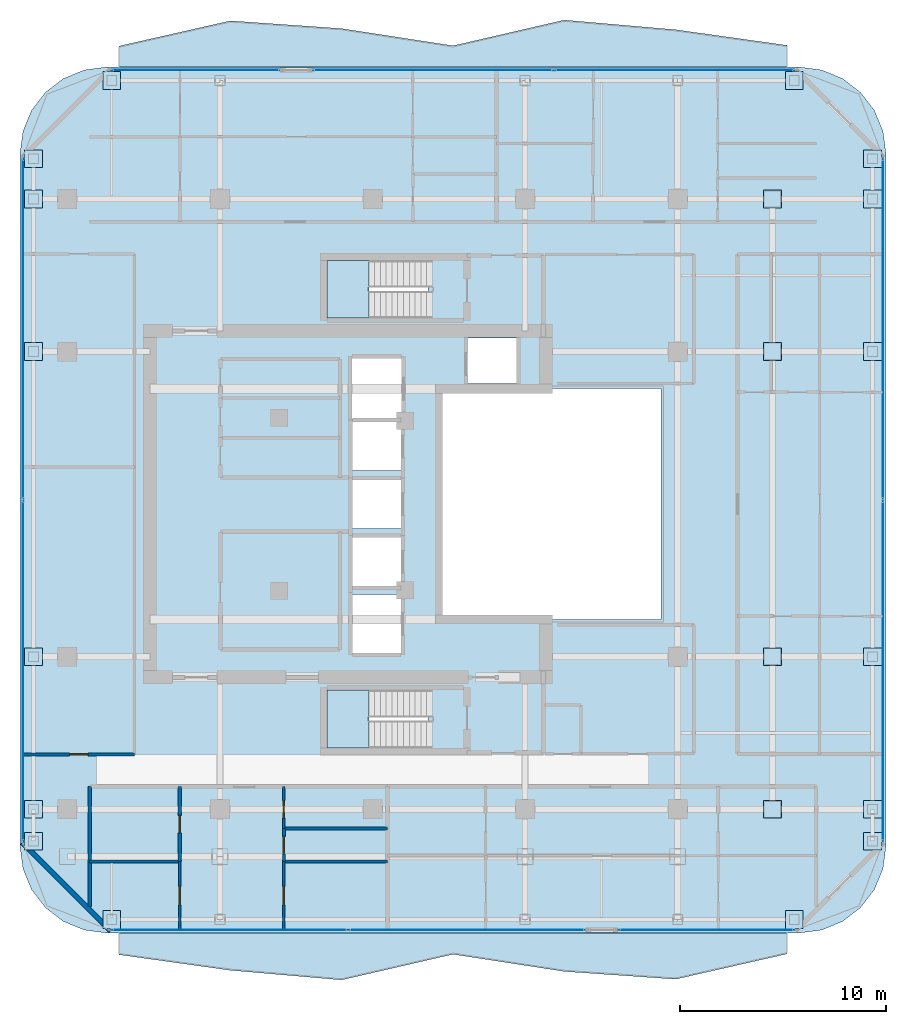
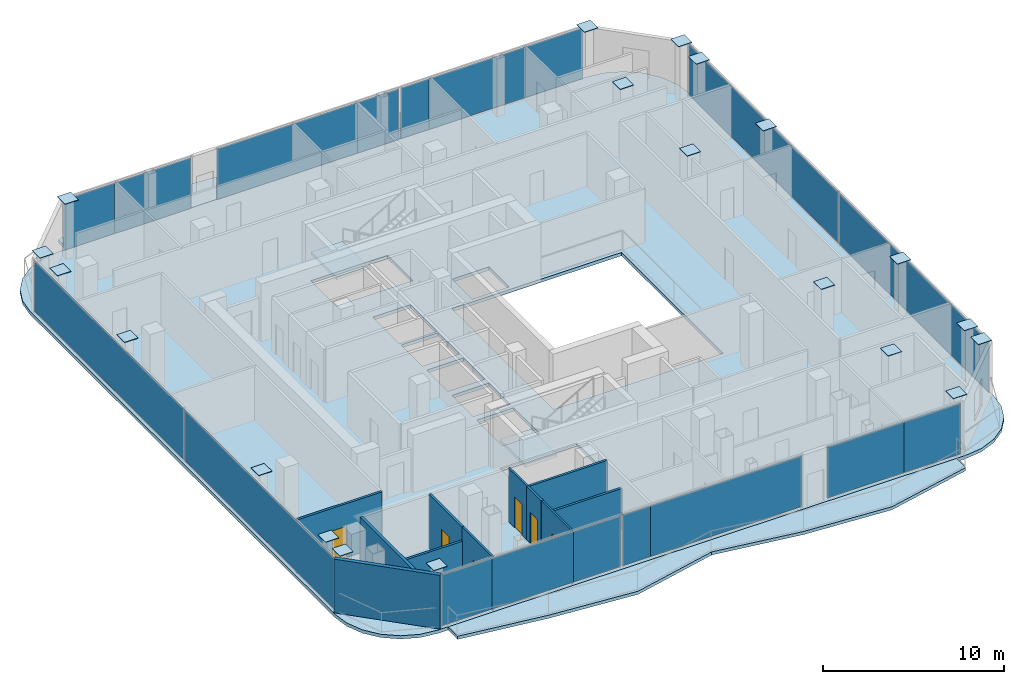
# One storey, part 15 of 22: 38 plates, 11 walls, 6 doors, 5 slabs, 6 openings, 8 elements without a shape of their own.
"""IFC4 building model written with IfcOpenShell, lengths in metres."""

from ifc_helpers import new_model, si_unit, direction, frame, frame_2d, origin, origin_2d, place, context, subcontext, project, spatial, polyline, rectangle, outline, extrude, material, layer, layer_set, type_object, element, fill, aggregate, save


model = new_model("IFC4")

# Units and contexts
model_context = context("Model", 3, precision=1e-05, world=origin(), true_north=direction((0.0, 1.0)))
body_context = subcontext(model_context, "Body", "Model", "MODEL_VIEW")
ifc_project = project(units=[si_unit("LENGTHUNIT", "METRE"), si_unit("AREAUNIT", "SQUARE_METRE"), si_unit("VOLUMEUNIT", "CUBIC_METRE"), si_unit("PLANEANGLEUNIT", "RADIAN"), si_unit("MASSUNIT", "GRAM", prefix="KILO")], contexts=[model_context])

# Site, building, storey
site_placement = place(None, origin())
site = spatial("IfcSite", under=ifc_project, at=site_placement, CompositionType="ELEMENT")
building_placement = place(site_placement, origin())
building = spatial("IfcBuilding", under=site, at=building_placement, Name="Khorvyn Point Tower", CompositionType="ELEMENT")
storey_placement = place(building_placement, frame((0.0, 0.0, 282.0)))
storey = spatial("IfcBuildingStorey", under=building, at=storey_placement, Name="L69", CompositionType="ELEMENT", Elevation=282.0)

# Slabs
ifc_material_1 = material(Name="Concrete C35/45", Category="concrete")
ifc_layer_1 = layer(ifc_material_1, 0.219970703125)
ifc_layer_set_1 = layer_set([ifc_layer_1], Name="Concrete C35/45 Structural Floor Slab 220")
slab_type_1 = type_object("IfcSlabType", Name="Concrete C35/45 Structural Floor Slab 220", PredefinedType="FLOOR", material=ifc_layer_set_1)
slab_1_placement = place(storey_placement, frame((0.0, 0.0, -0.219970703125)))
element("IfcSlab", 1, at=slab_1_placement, inside=storey, type_object=slab_type_1, Name="L69 Main Structural Floor Slab", PredefinedType="FLOOR", context=body_context, shape_type="SweptSolid", body=[
    extrude(outline(polyline([(-12.89990234375, -20.800048828125), (-13.987060546875, -20.656982421875), (-15.0, -20.2373046875), (-15.869873046875, -19.56982421875), (-16.537353515625, -18.699951171875), (-16.956787109375, -17.68701171875), (-17.10009765625, -16.60009765625), (-17.10009765625, 17.0), (-16.956787109375, 18.0869140625), (-16.537353515625, 19.10009765625), (-15.869873046875, 19.9697265625), (-15.0, 20.63720703125), (-13.987060546875, 21.056884765625), (-12.89990234375, 21.199951171875), (20.699951171875, 21.199951171875), (21.787109375, 21.056884765625), (22.800048828125, 20.63720703125), (23.669921875, 19.9697265625), (24.33740234375, 19.10009765625), (24.7568359375, 18.0869140625), (24.89990234375, 17.0), (24.89990234375, -16.60009765625), (24.7568359375, -17.68701171875), (24.33740234375, -18.699951171875), (23.669921875, -19.56982421875), (22.800048828125, -20.2373046875), (21.787109375, -20.656982421875), (20.699951171875, -20.800048828125), (-12.89990234375, -20.800048828125)]), holes=[polyline([(2.679931640625, -11.820068359375), (2.679931640625, -9.02001953125), (-2.199951171875, -9.02001953125), (-2.199951171875, -11.820068359375), (2.679931640625, -11.820068359375)]), polyline([(1.375, -7.22509765625), (1.375, -4.375), (-0.97509765625, -4.375), (-0.97509765625, -7.22509765625), (1.375, -7.22509765625)]), polyline([(1.375, -3.97509765625), (1.375, -1.625), (-0.97509765625, -1.625), (-0.97509765625, -3.97509765625), (1.375, -3.97509765625)]), polyline([(1.375, -1.175048828125), (1.375, 1.175048828125), (-0.97509765625, 1.175048828125), (-0.97509765625, -1.175048828125), (1.375, -1.175048828125)]), polyline([(14.0, -5.60009765625), (14.0, 5.60009765625), (3.199951171875, 5.60009765625), (3.199951171875, -5.60009765625), (14.0, -5.60009765625)]), polyline([(1.375, 1.625), (1.375, 3.97509765625), (-0.97509765625, 3.97509765625), (-0.97509765625, 1.625), (1.375, 1.625)]), polyline([(1.39990234375, 4.125), (1.39990234375, 7.074951171875), (-1.0, 7.074951171875), (-1.0, 4.125), (1.39990234375, 4.125)]), polyline([(4.625, 5.85009765625), (6.97509765625, 5.85009765625), (6.97509765625, 8.054931640625), (4.625, 8.054931640625), (4.625, 5.85009765625)]), polyline([(-2.199951171875, 9.02001953125), (2.679931640625, 9.02001953125), (2.679931640625, 11.820068359375), (-2.199951171875, 11.820068359375), (-2.199951171875, 9.02001953125)])]), origin(), (0.0, 0.0, 1.0), 0.219970703125),
])
ifc_material_2 = material(Name="Concrete C40/50", Category="concrete")
ifc_layer_2 = layer(ifc_material_2, 0.2099609375)
ifc_layer_set_2 = layer_set([ifc_layer_2], Name="Concrete C40/50 Rippling Balcony Slab 210")
slab_type_2 = type_object("IfcSlabType", Name="Concrete C40/50 Rippling Balcony Slab 210", PredefinedType="USERDEFINED", material=ifc_layer_set_2)
slab_2_placement = place(storey_placement, frame((0.0, 0.0, -0.2099609375)))
element("IfcSlab", 2, at=slab_2_placement, inside=storey, type_object=slab_type_2, Name="L69 North Sinusoidal Rippling Balcony", ObjectType="BALCONY", PredefinedType="USERDEFINED", context=body_context, shape_type="SweptSolid", body=[
    extrude(outline(polyline([(20.10009765625, 21.199951171875), (20.10009765625, 22.255126953125), (14.699951171875, 23.01220703125), (9.300048828125, 23.48095703125), (3.89990234375, 22.234130859375), (-1.5, 23.068115234375), (-6.89990234375, 23.443359375), (-12.300048828125, 22.21728515625), (-12.300048828125, 21.199951171875), (20.10009765625, 21.199951171875)])), origin(), (0.0, 0.0, 1.0), 0.2099609375),
])
slab_3_placement = place(storey_placement, frame((0.0, 0.0, -0.2099609375)))
element("IfcSlab", 3, at=slab_3_placement, inside=storey, type_object=slab_type_2, Name="L69 South Sinusoidal Rippling Balcony", ObjectType="BALCONY", PredefinedType="USERDEFINED", context=body_context, shape_type="SweptSolid", body=[
    extrude(outline(polyline([(-12.300048828125, -20.800048828125), (-12.300048828125, -21.855224609375), (-6.89990234375, -22.612060546875), (-1.5, -23.080810546875), (3.89990234375, -21.833984375), (9.300048828125, -22.668212890625), (14.699951171875, -23.04345703125), (20.10009765625, -21.817138671875), (20.10009765625, -20.800048828125), (-12.300048828125, -20.800048828125)])), origin(), (0.0, 0.0, 1.0), 0.2099609375),
])

# Stair, slab
stair_type = type_object("IfcStairType", Name="Tower Concrete C40/50 Dogleg Exit Stair", PredefinedType="HALF_TURN_STAIR", material=ifc_material_2)
stair_1_placement = place(storey_placement, origin())
stair_1 = element("IfcStair", 4, at=stair_1_placement, inside=storey, type_object=stair_type, Name="L69 Tower Smokeproof Exit Stair South", PredefinedType="HALF_TURN_STAIR")
ifc_layer_3 = layer(ifc_material_2, 0.199951171875)
ifc_layer_set_3 = layer_set([ifc_layer_3], Name="Concrete C40/50 Stair Landing Slab 200")
slab_type_3 = type_object("IfcSlabType", Name="Concrete C40/50 Stair Landing Slab 200", PredefinedType="LANDING", material=ifc_layer_set_3)
slab_4_placement = place(storey_placement, frame((0.0, 0.0, 1.75)))
slab_4 = element("IfcSlab", 5, at=slab_4_placement, type_object=slab_type_3, Name="ST-01 landing 1", PredefinedType="LANDING", context=body_context, shape_type="SweptSolid", body=[
    extrude(outline(polyline([(-0.179931640625, -9.02001953125), (-2.199951171875, -9.02001953125), (-2.199951171875, -11.820068359375), (-0.179931640625, -11.820068359375), (-0.179931640625, -9.02001953125)])), origin(), (0.0, 0.0, 1.0), 0.199951171875),
])
aggregate(stair_1, [slab_4])

stair_2_placement = place(storey_placement, origin())
stair_2 = element("IfcStair", 6, at=stair_2_placement, inside=storey, type_object=stair_type, Name="L69 Tower Smokeproof Exit Stair North", PredefinedType="HALF_TURN_STAIR")
slab_5_placement = place(storey_placement, frame((0.0, 0.0, 1.75)))
slab_5 = element("IfcSlab", 7, at=slab_5_placement, type_object=slab_type_3, Name="ST-02 landing 1", PredefinedType="LANDING", context=body_context, shape_type="SweptSolid", body=[
    extrude(outline(polyline([(-0.179931640625, 11.820068359375), (-2.199951171875, 11.820068359375), (-2.199951171875, 9.02001953125), (-0.179931640625, 9.02001953125), (-0.179931640625, 11.820068359375)])), origin(), (0.0, 0.0, 1.0), 0.199951171875),
])
aggregate(stair_2, [slab_5])

# Plates
ifc_material_3 = material(Name="Steel S450", Category="steel")
ifc_layer_4 = layer(ifc_material_3, 0.031982421875)
ifc_layer_set_4 = layer_set([ifc_layer_4], Name="Steel S450 Exoskeleton End Cap Plate 32")
plate_type_1 = type_object("IfcPlateType", Name="Steel S450 Exoskeleton End Cap Plate 32", PredefinedType="USERDEFINED", material=ifc_layer_set_4)
for number, where, z_axis, x_axis, name in (
    (8, (19.39990234375, -14.800048828125, 3.89404296875), (0.0, 0.0, 1.0), (1.0, 0.0, 0.0), "Plate"),
    (9, (19.39990234375, -7.39990234375, 3.89404296875), (0.0, 0.0, 1.0), (1.0, 0.0, 0.0), "Plate"),
    (10, (19.39990234375, 7.39990234375, 3.89404296875), (0.0, 0.0, 1.0), (1.0, 0.0, 0.0), "Plate"),
    (11, (19.39990234375, 14.800048828125, 3.89404296875), (0.0, 0.0, 1.0), (1.0, 0.0, 0.0), "Plate"),
    (12, (-12.64990234375, -20.14990234375, 3.89404296875), (0.0, 0.0, 1.0), (1.0, 0.0, 0.0), "Plate"),
    (13, (20.449951171875, -20.14990234375, 3.89404296875), (0.0, 0.0, 1.0), (1.0, 0.0, 0.0), "Plate"),
    (14, (-12.64990234375, 20.550048828125, 3.89404296875), (0.0, 0.0, 1.0), (1.0, 0.0, 0.0), "Plate"),
    (15, (20.449951171875, 20.550048828125, 3.89404296875), (0.0, 0.0, 1.0), (1.0, 0.0, 0.0), "Plate"),
    (16, (-16.449951171875, -16.35009765625, 3.89404296875), (0.0, 0.0, 1.0), (1.0, 0.0, 0.0), "Plate"),
    (17, (-16.449951171875, 16.75, 3.89404296875), (0.0, 0.0, 1.0), (1.0, 0.0, 0.0), "Plate"),
    (18, (24.25, -16.35009765625, 3.89404296875), (0.0, 0.0, 1.0), (1.0, 0.0, 0.0), "Plate"),
    (19, (24.25, 16.75, 3.89404296875), (0.0, 0.0, 1.0), (1.0, 0.0, 0.0), "Plate"),
    (20, (-16.449951171875, -14.800048828125, 3.89404296875), (0.0, 0.0, 1.0), (1.0, 0.0, 0.0), "Plate"),
    (21, (24.25, -14.800048828125, 3.89404296875), (0.0, 0.0, 1.0), (1.0, 0.0, 0.0), "Plate"),
    (22, (-16.449951171875, -7.39990234375, 3.89404296875), (0.0, 0.0, 1.0), (1.0, 0.0, 0.0), "Plate"),
    (23, (24.25, -7.39990234375, 3.89404296875), (0.0, 0.0, 1.0), (1.0, 0.0, 0.0), "Plate"),
    (24, (-16.449951171875, 7.39990234375, 3.89404296875), (0.0, 0.0, 1.0), (1.0, 0.0, 0.0), "Plate"),
    (25, (24.25, 7.39990234375, 3.89404296875), (0.0, 0.0, 1.0), (1.0, 0.0, 0.0), "Plate"),
    (26, (-16.449951171875, 14.800048828125, 3.89404296875), (0.0, 0.0, 1.0), (1.0, 0.0, 0.0), "Plate"),
    (27, (24.25, 14.800048828125, 3.89404296875), (0.0, 0.0, 1.0), (1.0, 0.0, 0.0), "Plate"),
):
    element("IfcPlate", number, at=place(storey_placement, frame(where, z_axis=z_axis, x_axis=x_axis)), inside=storey, type_object=plate_type_1, Name=name, ObjectType="GUSSET", PredefinedType="USERDEFINED", context=body_context, shape_type="SweptSolid", body=[
        extrude(rectangle(XDim=0.860107421875, YDim=0.860107421875, at=origin_2d()), origin(), (0.0, 0.0, 1.0), 0.031982421875),
    ])

# Curtain wall, plates
ifc_material_4 = material(Name="Anodised aluminium 6063-T6 and laminated Low-E glass", Category="aluminium")
ifc_layer_5 = layer(ifc_material_4, 0.18994140625)
ifc_layer_set_5 = layer_set([ifc_layer_5], Name="Stick-Built High-Wind Curtain Wall CW-SYS-04")
curtain_wall_type = type_object("IfcCurtainWallType", Name="Stick-Built High-Wind Curtain Wall CW-SYS-04", PredefinedType="NOTDEFINED", material=ifc_layer_set_5)
curtain_wall_1_placement = place(storey_placement, origin())
curtain_wall_1 = element("IfcCurtainWall", 28, at=curtain_wall_1_placement, inside=storey, type_object=curtain_wall_type, Name="Curtain Wall", PredefinedType="NOTDEFINED")
ifc_material_5 = material(Name="Laminated Low-E insulated glass", Category="glass")
ifc_layer_6 = layer(ifc_material_5, 0.028076171875)
ifc_layer_set_6 = layer_set([ifc_layer_6], Name="Tempered Low-E Vision Glazing Panel CW-GL28")
plate_type_2 = type_object("IfcPlateType", Name="Tempered Low-E Vision Glazing Panel CW-GL28", PredefinedType="CURTAIN_PANEL", material=ifc_layer_set_6)
plate_1_placement = place(storey_placement, frame((14.385986328125, -20.64990234375, 0.10009765625), z_axis=(0.0, 0.0, 1.0), x_axis=(-1.0, 0.0, 0.0)))
plate_1 = element("IfcPlate", 29, at=plate_1_placement, type_object=plate_type_2, Name="Panel", PredefinedType="CURTAIN_PANEL", context=body_context, shape_type="SweptSolid", body=[
    extrude(rectangle(XDim=4.8759765625, YDim=0.028076171875, at=origin_2d()), origin(), (0.0, 0.0, 1.0), 3.419921875),
])
plate_2_placement = place(storey_placement, frame((18.638916015625, -20.64990234375, 0.10009765625), z_axis=(0.0, 0.0, 1.0), x_axis=(-1.0, 0.0, 0.0)))
plate_2 = element("IfcPlate", 30, at=plate_2_placement, type_object=plate_type_2, Name="Panel", PredefinedType="CURTAIN_PANEL", context=body_context, shape_type="SweptSolid", body=[
    extrude(rectangle(XDim=3.614013671875, YDim=0.028076171875, at=origin_2d()), origin(), (0.0, 0.0, 1.0), 3.419921875),
])
aggregate(curtain_wall_1, [plate_1, plate_2])

curtain_wall_2_placement = place(storey_placement, origin())
curtain_wall_2 = element("IfcCurtainWall", 31, at=curtain_wall_2_placement, inside=storey, type_object=curtain_wall_type, Name="Curtain Wall", PredefinedType="NOTDEFINED")
plate_3_placement = place(storey_placement, frame((-0.2275390625, -20.64990234375, 0.10009765625), z_axis=(0.0, 0.0, 1.0), x_axis=(-1.0, 0.0, 0.0)))
plate_3 = element("IfcPlate", 32, at=plate_3_placement, type_object=plate_type_2, Name="Panel", PredefinedType="CURTAIN_PANEL", context=body_context, shape_type="SweptSolid", body=[
    extrude(rectangle(XDim=1.782958984375, YDim=0.028076171875, at=origin_2d()), origin(), (0.0, 0.0, 1.0), 3.419921875),
])
plate_4_placement = place(storey_placement, frame((5.486083984375, -20.64990234375, 0.10009765625), z_axis=(0.0, 0.0, 1.0), x_axis=(-1.0, 0.0, 0.0)))
plate_4 = element("IfcPlate", 33, at=plate_4_placement, type_object=plate_type_2, Name="Panel", PredefinedType="CURTAIN_PANEL", context=body_context, shape_type="SweptSolid", body=[
    extrude(rectangle(XDim=9.6279296875, YDim=0.028076171875, at=origin_2d()), origin(), (0.0, 0.0, 1.0), 3.419921875),
])
plate_5_placement = place(storey_placement, frame((-11.031494140625, -20.64990234375, 0.10009765625), z_axis=(0.0, 0.0, 1.0), x_axis=(-1.0, 0.0, 0.0)))
plate_5 = element("IfcPlate", 34, at=plate_5_placement, type_object=plate_type_2, Name="Panel", PredefinedType="CURTAIN_PANEL", context=body_context, shape_type="SweptSolid", body=[
    extrude(rectangle(XDim=3.22900390625, YDim=0.028076171875, at=origin_2d()), origin(), (0.0, 0.0, 1.0), 3.419921875),
])
plate_6_placement = place(storey_placement, frame((-6.824951171875, -20.64990234375, 0.10009765625), z_axis=(0.0, 0.0, 1.0), x_axis=(-1.0, 0.0, 0.0)))
plate_6 = element("IfcPlate", 35, at=plate_6_placement, type_object=plate_type_2, Name="Panel", PredefinedType="CURTAIN_PANEL", context=body_context, shape_type="SweptSolid", body=[
    extrude(rectangle(XDim=5.16796875, YDim=0.028076171875, at=origin_2d()), origin(), (0.0, 0.0, 1.0), 3.419921875),
])
plate_7_placement = place(storey_placement, frame((-2.72998046875, -20.64990234375, 0.10009765625), z_axis=(0.0, 0.0, 1.0), x_axis=(-1.0, 0.0, 0.0)))
plate_7 = element("IfcPlate", 36, at=plate_7_placement, type_object=plate_type_2, Name="Panel", PredefinedType="CURTAIN_PANEL", context=body_context, shape_type="SweptSolid", body=[
    extrude(rectangle(XDim=3.006103515625, YDim=0.028076171875, at=origin_2d()), origin(), (0.0, 0.0, 1.0), 3.419921875),
])
aggregate(curtain_wall_2, [plate_3, plate_4, plate_5, plate_6, plate_7])

curtain_wall_3_placement = place(storey_placement, origin())
curtain_wall_3 = element("IfcCurtainWall", 37, at=curtain_wall_3_placement, inside=storey, type_object=curtain_wall_type, Name="Curtain Wall", PredefinedType="NOTDEFINED")
plate_8_placement = place(storey_placement, frame((-11.02490234375, 21.050048828125, 0.10009765625), z_axis=(0.0, 0.0, 1.0), x_axis=(1.0, 0.0, 0.0)))
plate_8 = element("IfcPlate", 38, at=plate_8_placement, type_object=plate_type_2, Name="Panel", PredefinedType="CURTAIN_PANEL", context=body_context, shape_type="SweptSolid", body=[
    extrude(rectangle(XDim=3.241943359375, YDim=0.028076171875, at=origin_2d()), origin(), (0.0, 0.0, 1.0), 3.419921875),
])
plate_9_placement = place(storey_placement, frame((-6.95654296875, 21.050048828125, 0.10009765625), z_axis=(0.0, 0.0, 1.0), x_axis=(1.0, 0.0, 0.0)))
plate_9 = element("IfcPlate", 39, at=plate_9_placement, type_object=plate_type_2, Name="Panel", PredefinedType="CURTAIN_PANEL", context=body_context, shape_type="SweptSolid", body=[
    extrude(rectangle(XDim=4.87890625, YDim=0.028076171875, at=origin_2d()), origin(), (0.0, 0.0, 1.0), 3.419921875),
])
aggregate(curtain_wall_3, [plate_8, plate_9])

curtain_wall_4_placement = place(storey_placement, origin())
curtain_wall_4 = element("IfcCurtainWall", 40, at=curtain_wall_4_placement, inside=storey, type_object=curtain_wall_type, Name="Curtain Wall", PredefinedType="NOTDEFINED")
plate_10_placement = place(storey_placement, frame((1.6005859375, 21.050048828125, 0.10009765625), z_axis=(0.0, 0.0, 1.0), x_axis=(1.0, 0.0, 0.0)))
plate_10 = element("IfcPlate", 41, at=plate_10_placement, type_object=plate_type_2, Name="Panel", PredefinedType="CURTAIN_PANEL", context=body_context, shape_type="SweptSolid", body=[
    extrude(rectangle(XDim=8.93896484375, YDim=0.028076171875, at=origin_2d()), origin(), (0.0, 0.0, 1.0), 3.419921875),
])
plate_11_placement = place(storey_placement, frame((7.40625, 21.050048828125, 0.10009765625), z_axis=(0.0, 0.0, 1.0), x_axis=(1.0, 0.0, 0.0)))
plate_11 = element("IfcPlate", 42, at=plate_11_placement, type_object=plate_type_2, Name="Panel", PredefinedType="CURTAIN_PANEL", context=body_context, shape_type="SweptSolid", body=[
    extrude(rectangle(XDim=2.656494140625, YDim=0.028076171875, at=origin_2d()), origin(), (0.0, 0.0, 1.0), 3.419921875),
])
plate_12_placement = place(storey_placement, frame((9.7392578125, 21.050048828125, 0.10009765625), z_axis=(0.0, 0.0, 1.0), x_axis=(1.0, 0.0, 0.0)))
plate_12 = element("IfcPlate", 43, at=plate_12_placement, type_object=plate_type_2, Name="Panel", PredefinedType="CURTAIN_PANEL", context=body_context, shape_type="SweptSolid", body=[
    extrude(rectangle(XDim=1.79345703125, YDim=0.028076171875, at=origin_2d()), origin(), (0.0, 0.0, 1.0), 3.419921875),
])
plate_13_placement = place(storey_placement, frame((13.719482421875, 21.050048828125, 0.10009765625), z_axis=(0.0, 0.0, 1.0), x_axis=(1.0, 0.0, 0.0)))
plate_13 = element("IfcPlate", 44, at=plate_13_placement, type_object=plate_type_2, Name="Panel", PredefinedType="CURTAIN_PANEL", context=body_context, shape_type="SweptSolid", body=[
    extrude(rectangle(XDim=6.15087890625, YDim=0.028076171875, at=origin_2d()), origin(), (0.0, 0.0, 1.0), 3.419921875),
])
plate_14_placement = place(storey_placement, frame((18.62451171875, 21.050048828125, 0.10009765625), z_axis=(0.0, 0.0, 1.0), x_axis=(1.0, 0.0, 0.0)))
plate_14 = element("IfcPlate", 45, at=plate_14_placement, type_object=plate_type_2, Name="Panel", PredefinedType="CURTAIN_PANEL", context=body_context, shape_type="SweptSolid", body=[
    extrude(rectangle(XDim=3.64306640625, YDim=0.028076171875, at=origin_2d()), origin(), (0.0, 0.0, 1.0), 3.419921875),
])
aggregate(curtain_wall_4, [plate_10, plate_11, plate_12, plate_13, plate_14])

curtain_wall_5_placement = place(storey_placement, origin())
curtain_wall_5 = element("IfcCurtainWall", 46, at=curtain_wall_5_placement, inside=storey, type_object=curtain_wall_type, Name="Curtain Wall", PredefinedType="NOTDEFINED")
plate_15_placement = place(storey_placement, frame((-16.949951171875, -8.10009765625, 0.10009765625), z_axis=(0.0, 0.0, 1.0), x_axis=(0.0, 1.0, 0.0)))
plate_15 = element("IfcPlate", 47, at=plate_15_placement, type_object=plate_type_2, Name="Panel", PredefinedType="CURTAIN_PANEL", context=body_context, shape_type="SweptSolid", body=[
    extrude(rectangle(XDim=16.5, YDim=0.028076171875, at=origin_2d()), origin(), (0.0, 0.0, 1.0), 3.419921875),
])
plate_16_placement = place(storey_placement, frame((-16.949951171875, 8.5, 0.10009765625), z_axis=(0.0, 0.0, 1.0), x_axis=(0.0, 1.0, 0.0)))
plate_16 = element("IfcPlate", 48, at=plate_16_placement, type_object=plate_type_2, Name="Panel", PredefinedType="CURTAIN_PANEL", context=body_context, shape_type="SweptSolid", body=[
    extrude(rectangle(XDim=16.5, YDim=0.028076171875, at=origin_2d()), origin(), (0.0, 0.0, 1.0), 3.419921875),
])
aggregate(curtain_wall_5, [plate_15, plate_16])

curtain_wall_6_placement = place(storey_placement, origin())
curtain_wall_6 = element("IfcCurtainWall", 49, at=curtain_wall_6_placement, inside=storey, type_object=curtain_wall_type, Name="Curtain Wall", PredefinedType="NOTDEFINED")
plate_17_placement = place(storey_placement, frame((24.75, 8.5, 0.10009765625), z_axis=(0.0, 0.0, 1.0), x_axis=(0.0, -1.0, 0.0)))
plate_17 = element("IfcPlate", 50, at=plate_17_placement, type_object=plate_type_2, Name="Panel", PredefinedType="CURTAIN_PANEL", context=body_context, shape_type="SweptSolid", body=[
    extrude(rectangle(XDim=16.5, YDim=0.028076171875, at=origin_2d()), origin(), (0.0, 0.0, 1.0), 3.419921875),
])
plate_18_placement = place(storey_placement, frame((24.75, -8.10009765625, 0.10009765625), z_axis=(0.0, 0.0, 1.0), x_axis=(0.0, -1.0, 0.0)))
plate_18 = element("IfcPlate", 51, at=plate_18_placement, type_object=plate_type_2, Name="Panel", PredefinedType="CURTAIN_PANEL", context=body_context, shape_type="SweptSolid", body=[
    extrude(rectangle(XDim=16.5, YDim=0.028076171875, at=origin_2d()), origin(), (0.0, 0.0, 1.0), 3.419921875),
])
aggregate(curtain_wall_6, [plate_17, plate_18])

# Walls
ifc_material_6 = material(Name="Double acoustic gypsum on twin steel stud", Category="steel")
ifc_layer_7 = layer(ifc_material_6, 0.179931640625)
ifc_layer_set_7 = layer_set([ifc_layer_7], Name="Acoustic Double-Stud Apartment Demising Wall 180")
wall_type_1 = type_object("IfcWallType", Name="Acoustic Double-Stud Apartment Demising Wall 180", PredefinedType="PARTITIONING", material=ifc_layer_set_7)
wall_1_placement = place(storey_placement, frame((-13.719970703125, -19.510009765625, 0.0), z_axis=(0.0, 0.0, 1.0), x_axis=(0.0, 1.0, 0.0)))
element("IfcWall", 52, at=wall_1_placement, inside=storey, type_object=wall_type_1, Name="Wall", PredefinedType="PARTITIONING", context=body_context, shape_type="SweptSolid", body=[
    extrude(rectangle(XDim=5.81005859375, YDim=0.179931640625, at=frame_2d((2.905029296875, 0.0))), origin(), (0.0, 0.0, 1.0), 3.6201171875),
])
ifc_material_7 = material(Name="Pale anodised aluminium rainscreen on steel stud", Category="steel")
ifc_layer_8 = layer(ifc_material_7, 0.239990234375)
ifc_layer_set_8 = layer_set([ifc_layer_8], Name="Anodised Aluminium Insulated Corner Spandrel Wall 240")
wall_type_2 = type_object("IfcWallType", Name="Anodised Aluminium Insulated Corner Spandrel Wall 240", PredefinedType="SOLIDWALL", material=ifc_layer_set_8)
wall_2_placement = place(storey_placement, frame((-12.70751953125, -20.6923828125, 0.0), z_axis=(0.0, 0.0, 1.0), x_axis=(-0.707126925818, 0.707086635981, 0.0)))
element("IfcWall", 53, at=wall_2_placement, inside=storey, type_object=wall_type_2, Name="L69 Rounded Corner Wall SW", PredefinedType="SOLIDWALL", context=body_context, shape_type="SweptSolid", body=[
    extrude(rectangle(XDim=6.0595703125, YDim=0.239990234375, at=frame_2d((3.02978515625, 0.0))), origin(), (0.0, 0.0, 1.0), 3.6201171875),
])

# Wall, opening, door
ifc_material_8 = material(Name="Gypsum plasterboard on steel stud", Category="steel")
ifc_layer_9 = layer(ifc_material_8, 0.1201171875)
ifc_layer_set_9 = layer_set([ifc_layer_9], Name="Gypsum Acoustic Stud Room Partition Wall 120")
wall_type_3 = type_object("IfcWallType", Name="Gypsum Acoustic Stud Room Partition Wall 120", PredefinedType="PARTITIONING", material=ifc_layer_set_9)
wall_3_placement = place(storey_placement, frame((-9.35302734375, -20.6298828125, 0.0), z_axis=(0.0, 0.0, 1.0), x_axis=(0.0, 1.0, 0.0)))
wall_3 = element("IfcWall", 54, at=wall_3_placement, inside=storey, type_object=wall_type_3, Name="Wall", PredefinedType="PARTITIONING", context=body_context, shape_type="SweptSolid", body=[
    extrude(rectangle(XDim=3.286865234375, YDim=0.1201171875, at=frame_2d((1.6435546875, 0.0))), origin(), (0.0, 0.0, 1.0), 3.6201171875),
])
opening_1_placement = place(wall_3_placement, frame((1.193603515625, 0.0, 0.0)))
opening_1 = element("IfcOpeningElement", 55, at=opening_1_placement, cuts=wall_3, Name="Opening ID-RM90", PredefinedType="OPENING", context=body_context, shape_type="SweptSolid", body=[
    extrude(rectangle(XDim=0.89990234375, YDim=2.10009765625, at=frame_2d((0.449951171875, 1.050048828125))), frame((0.0, 0.070068359375, 0.0), z_axis=(0.0, -1.0, 0.0), x_axis=(1.0, 0.0, 0.0)), (0.0, 0.0, 1.0), 0.14013671875),
])
ifc_material_9 = material(Name="Engineered oak veneer timber", Category="wood")
door_type_1 = type_object("IfcDoorType", Name="Flush Engineered Timber Room Door 900x2100", OperationType="NOTDEFINED", PredefinedType="DOOR", material=ifc_material_9)
door_1_placement = place(opening_1_placement, origin())
door_1 = element("IfcDoor", 56, at=door_1_placement, inside=storey, type_object=door_type_1, Name="Door", OperationType="SINGLE_SWING_RIGHT", OverallHeight=2.10009765625, OverallWidth=0.89990234375, PredefinedType="DOOR", context=body_context, shape_type="SweptSolid", body=[
    extrude(rectangle(XDim=0.89990234375, YDim=2.10009765625, at=frame_2d((0.449951171875, 1.050048828125))), frame((0.0, 0.02490234375, 0.0), z_axis=(0.0, -1.0, 0.0), x_axis=(1.0, 0.0, 0.0)), (0.0, 0.0, 1.0), 0.050048828125),
])
fill(opening_1, door_1)

wall_4_placement = place(storey_placement, frame((-4.297119140625, -15.739990234375, 0.0), z_axis=(0.0, 0.0, 1.0), x_axis=(0.0, 1.0, 0.0)))
wall_4 = element("IfcWall", 57, at=wall_4_placement, inside=storey, type_object=wall_type_3, Name="Wall", PredefinedType="PARTITIONING", context=body_context, shape_type="SweptSolid", body=[
    extrude(rectangle(XDim=2.0400390625, YDim=0.1201171875, at=frame_2d((1.02001953125, 0.0))), origin(), (0.0, 0.0, 1.0), 3.6201171875),
])
opening_2_placement = place(wall_4_placement, frame((0.508056640625, 0.0, 0.0)))
opening_2 = element("IfcOpeningElement", 58, at=opening_2_placement, cuts=wall_4, Name="Opening ID-WC85", PredefinedType="OPENING", context=body_context, shape_type="SweptSolid", body=[
    extrude(rectangle(XDim=0.85009765625, YDim=2.10009765625, at=frame_2d((0.425048828125, 1.050048828125))), frame((0.0, 0.070068359375, 0.0), z_axis=(0.0, -1.0, 0.0), x_axis=(1.0, 0.0, 0.0)), (0.0, 0.0, 1.0), 0.14013671875),
])
ifc_material_10 = material(Name="High-pressure laminate on moisture-resistant core", Category="wood")
door_type_2 = type_object("IfcDoorType", Name="Moisture-Resistant Accessible Washroom Door 850x2100", OperationType="NOTDEFINED", PredefinedType="DOOR", material=ifc_material_10)
door_2_placement = place(opening_2_placement, origin())
door_2 = element("IfcDoor", 59, at=door_2_placement, inside=storey, type_object=door_type_2, Name="Door", OperationType="SINGLE_SWING_RIGHT", OverallHeight=2.10009765625, OverallWidth=0.85009765625, PredefinedType="DOOR", context=body_context, shape_type="SweptSolid", body=[
    extrude(rectangle(XDim=0.85009765625, YDim=2.10009765625, at=frame_2d((0.425048828125, 1.050048828125))), frame((0.0, 0.02490234375, 0.0), z_axis=(0.0, -1.0, 0.0), x_axis=(1.0, 0.0, 0.0)), (0.0, 0.0, 1.0), 0.050048828125),
])
fill(opening_2, door_2)

wall_5_placement = place(storey_placement, frame((-4.297119140625, -20.6298828125, 0.0), z_axis=(0.0, 0.0, 1.0), x_axis=(0.0, 1.0, 0.0)))
wall_5 = element("IfcWall", 60, at=wall_5_placement, inside=storey, type_object=wall_type_3, Name="Wall", PredefinedType="PARTITIONING", context=body_context, shape_type="SweptSolid", body=[
    extrude(rectangle(XDim=3.286865234375, YDim=0.1201171875, at=frame_2d((1.6435546875, 0.0))), origin(), (0.0, 0.0, 1.0), 3.6201171875),
])
opening_3_placement = place(wall_5_placement, frame((1.193603515625, 0.0, 0.0)))
opening_3 = element("IfcOpeningElement", 61, at=opening_3_placement, cuts=wall_5, Name="Opening ID-RM90", PredefinedType="OPENING", context=body_context, shape_type="SweptSolid", body=[
    extrude(rectangle(XDim=0.89990234375, YDim=2.10009765625, at=frame_2d((0.449951171875, 1.050048828125))), frame((0.0, 0.070068359375, 0.0), z_axis=(0.0, -1.0, 0.0), x_axis=(1.0, 0.0, 0.0)), (0.0, 0.0, 1.0), 0.14013671875),
])
door_3_placement = place(opening_3_placement, origin())
door_3 = element("IfcDoor", 62, at=door_3_placement, inside=storey, type_object=door_type_1, Name="Door", OperationType="SINGLE_SWING_LEFT", OverallHeight=2.10009765625, OverallWidth=0.89990234375, PredefinedType="DOOR", context=body_context, shape_type="SweptSolid", body=[
    extrude(rectangle(XDim=0.89990234375, YDim=2.10009765625, at=frame_2d((0.449951171875, 1.050048828125))), frame((0.0, 0.02490234375, 0.0), z_axis=(0.0, -1.0, 0.0), x_axis=(1.0, 0.0, 0.0)), (0.0, 0.0, 1.0), 0.050048828125),
])
fill(opening_3, door_3)

ifc_material_11 = material(Name="Moisture-resistant gypsum and cement board", Category="gypsum")
ifc_layer_10 = layer(ifc_material_11, 0.14990234375)
ifc_layer_set_10 = layer_set([ifc_layer_10], Name="Moisture-Resistant Wet-Room Partition Wall 150")
wall_type_4 = type_object("IfcWallType", Name="Moisture-Resistant Wet-Room Partition Wall 150", PredefinedType="PARTITIONING", material=ifc_layer_set_10)
wall_6_placement = place(storey_placement, frame((-9.35302734375, -17.343017578125, 0.0), z_axis=(0.0, 0.0, 1.0), x_axis=(0.0, 1.0, 0.0)))
wall_6 = element("IfcWall", 63, at=wall_6_placement, inside=storey, type_object=wall_type_4, Name="Wall", PredefinedType="PARTITIONING", context=body_context, shape_type="SweptSolid", body=[
    extrude(rectangle(XDim=3.64306640625, YDim=0.14990234375, at=frame_2d((1.821533203125, 0.0))), origin(), (0.0, 0.0, 1.0), 3.6201171875),
])
opening_4_placement = place(wall_6_placement, frame((1.396484375, 0.0, 0.0)))
opening_4 = element("IfcOpeningElement", 64, at=opening_4_placement, cuts=wall_6, Name="Opening ID-WC85", PredefinedType="OPENING", context=body_context, shape_type="SweptSolid", body=[
    extrude(rectangle(XDim=0.85009765625, YDim=2.10009765625, at=frame_2d((0.425048828125, 1.050048828125))), frame((0.0, 0.0849609375, 0.0), z_axis=(0.0, -1.0, 0.0), x_axis=(1.0, 0.0, 0.0)), (0.0, 0.0, 1.0), 0.169921875),
])
door_4_placement = place(opening_4_placement, origin())
door_4 = element("IfcDoor", 65, at=door_4_placement, inside=storey, type_object=door_type_2, Name="Door", OperationType="SINGLE_SWING_LEFT", OverallHeight=2.10009765625, OverallWidth=0.85009765625, PredefinedType="DOOR", context=body_context, shape_type="SweptSolid", body=[
    extrude(rectangle(XDim=0.85009765625, YDim=2.10009765625, at=frame_2d((0.425048828125, 1.050048828125))), frame((0.0, 0.02490234375, 0.0), z_axis=(0.0, -1.0, 0.0), x_axis=(1.0, 0.0, 0.0)), (0.0, 0.0, 1.0), 0.050048828125),
])
fill(opening_4, door_4)

wall_7_placement = place(storey_placement, frame((-4.297119140625, -17.343017578125, 0.0), z_axis=(0.0, 0.0, 1.0), x_axis=(0.0, 1.0, 0.0)))
wall_7 = element("IfcWall", 66, at=wall_7_placement, inside=storey, type_object=wall_type_4, Name="Wall", PredefinedType="PARTITIONING", context=body_context, shape_type="SweptSolid", body=[
    extrude(rectangle(XDim=1.60302734375, YDim=0.14990234375, at=frame_2d((0.801513671875, 0.0))), origin(), (0.0, 0.0, 1.0), 3.6201171875),
])
opening_5_placement = place(wall_7_placement, frame((0.37646484375, 0.0, 0.0)))
opening_5 = element("IfcOpeningElement", 67, at=opening_5_placement, cuts=wall_7, Name="Opening ID-WC85", PredefinedType="OPENING", context=body_context, shape_type="SweptSolid", body=[
    extrude(rectangle(XDim=0.85009765625, YDim=2.10009765625, at=frame_2d((0.425048828125, 1.050048828125))), frame((0.0, 0.0849609375, 0.0), z_axis=(0.0, -1.0, 0.0), x_axis=(1.0, 0.0, 0.0)), (0.0, 0.0, 1.0), 0.169921875),
])
door_5_placement = place(opening_5_placement, origin())
door_5 = element("IfcDoor", 68, at=door_5_placement, inside=storey, type_object=door_type_2, Name="Door", OperationType="SINGLE_SWING_LEFT", OverallHeight=2.10009765625, OverallWidth=0.85009765625, PredefinedType="DOOR", context=body_context, shape_type="SweptSolid", body=[
    extrude(rectangle(XDim=0.85009765625, YDim=2.10009765625, at=frame_2d((0.425048828125, 1.050048828125))), frame((0.0, 0.02490234375, 0.0), z_axis=(0.0, -1.0, 0.0), x_axis=(1.0, 0.0, 0.0)), (0.0, 0.0, 1.0), 0.050048828125),
])
fill(opening_5, door_5)

wall_8_placement = place(storey_placement, frame((-16.929931640625, -12.139892578125, 0.0), z_axis=(0.0, 0.0, 1.0), x_axis=(1.0, 0.0, 0.0)))
wall_8 = element("IfcWall", 69, at=wall_8_placement, inside=storey, type_object=wall_type_4, Name="Wall", PredefinedType="PARTITIONING", context=body_context, shape_type="SweptSolid", body=[
    extrude(rectangle(XDim=5.3798828125, YDim=0.14990234375, at=frame_2d((2.68994140625, 0.0))), origin(), (0.0, 0.0, 1.0), 3.6201171875),
])
opening_6_placement = place(wall_8_placement, frame((2.239990234375, 0.0, 0.0)))
opening_6 = element("IfcOpeningElement", 70, at=opening_6_placement, cuts=wall_8, Name="Opening ID-RM90", PredefinedType="OPENING", context=body_context, shape_type="SweptSolid", body=[
    extrude(rectangle(XDim=0.89990234375, YDim=2.10009765625, at=frame_2d((0.449951171875, 1.050048828125))), frame((0.0, 0.0849609375, 0.0), z_axis=(0.0, -1.0, 0.0), x_axis=(1.0, 0.0, 0.0)), (0.0, 0.0, 1.0), 0.169921875),
])
door_6_placement = place(opening_6_placement, origin())
door_6 = element("IfcDoor", 71, at=door_6_placement, inside=storey, type_object=door_type_1, Name="Door", OperationType="SINGLE_SWING_RIGHT", OverallHeight=2.10009765625, OverallWidth=0.89990234375, PredefinedType="DOOR", context=body_context, shape_type="SweptSolid", body=[
    extrude(rectangle(XDim=0.89990234375, YDim=2.10009765625, at=frame_2d((0.449951171875, 1.050048828125))), frame((0.0, 0.02490234375, 0.0), z_axis=(0.0, -1.0, 0.0), x_axis=(1.0, 0.0, 0.0)), (0.0, 0.0, 1.0), 0.050048828125),
])
fill(opening_6, door_6)

# Walls
wall_9_placement = place(storey_placement, frame((-13.719970703125, -17.343017578125, 0.0), z_axis=(0.0, 0.0, 1.0), x_axis=(1.0, 0.0, 0.0)))
element("IfcWall", 72, at=wall_9_placement, inside=storey, type_object=wall_type_4, Name="Wall", PredefinedType="PARTITIONING", context=body_context, shape_type="SweptSolid", body=[
    extrude(rectangle(XDim=4.366943359375, YDim=0.14990234375, at=frame_2d((2.18359375, 0.0))), origin(), (0.0, 0.0, 1.0), 2.7099609375),
])
wall_10_placement = place(storey_placement, frame((-4.297119140625, -15.739990234375, 0.0), z_axis=(0.0, 0.0, 1.0), x_axis=(1.0, 0.0, 0.0)))
element("IfcWall", 73, at=wall_10_placement, inside=storey, type_object=wall_type_4, Name="Wall", PredefinedType="PARTITIONING", context=body_context, shape_type="SweptSolid", body=[
    extrude(rectangle(XDim=5.025146484375, YDim=0.14990234375, at=frame_2d((2.5126953125, 0.0))), origin(), (0.0, 0.0, 1.0), 3.6201171875),
])
wall_11_placement = place(storey_placement, frame((-4.297119140625, -17.343017578125, 0.0), z_axis=(0.0, 0.0, 1.0), x_axis=(1.0, 0.0, 0.0)))
element("IfcWall", 74, at=wall_11_placement, inside=storey, type_object=wall_type_4, Name="Wall", PredefinedType="PARTITIONING", context=body_context, shape_type="SweptSolid", body=[
    extrude(rectangle(XDim=5.025146484375, YDim=0.14990234375, at=frame_2d((2.5126953125, 0.0))), origin(), (0.0, 0.0, 1.0), 2.7099609375),
])

save(model, "model.ifc")
